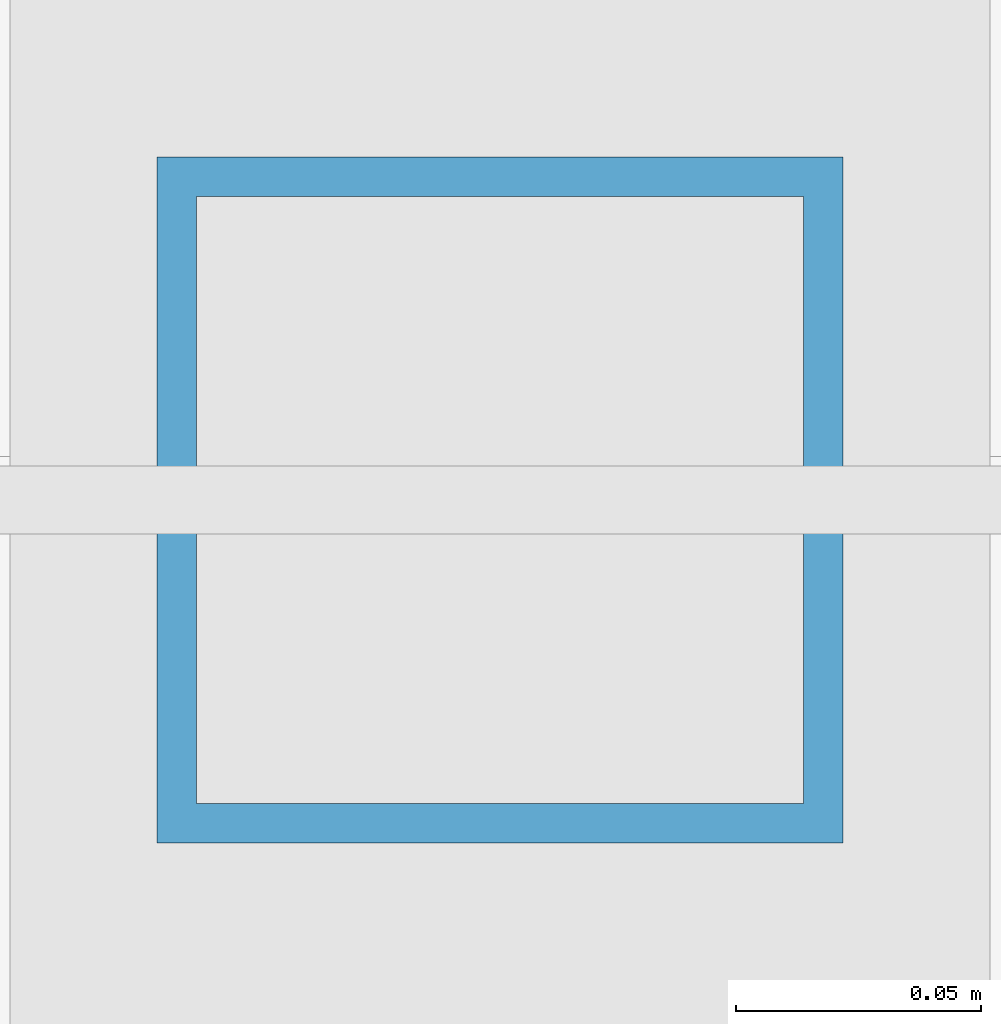
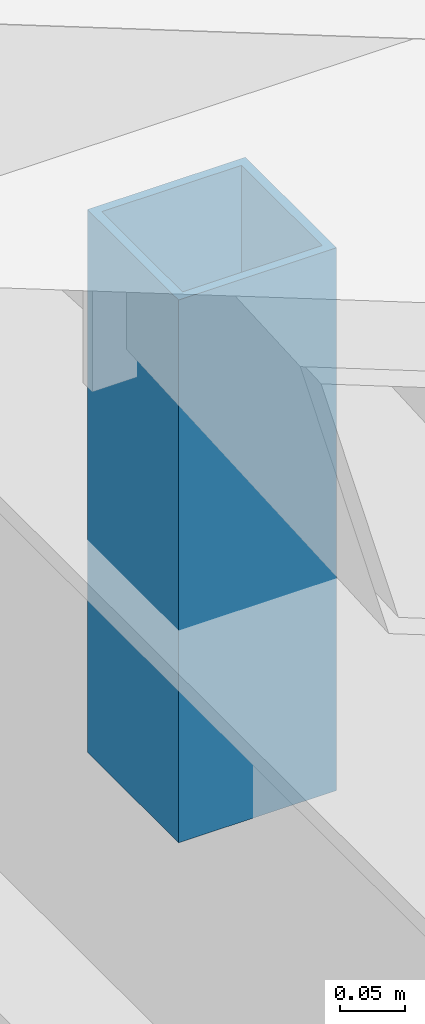
# One storey, part 3 of 13: 1 member.
"""IFC4 building model written with IfcOpenShell, lengths in metres."""

import ifcopenshell
import ifcopenshell.guid

model = None  # the IFC model being written
_history = None  # IfcOwnerHistory: only IFC2X3 demands one
_inside = {}  # id of a spatial element -> (the spatial element, [elements in it])
_under = {}  # id of a project, library or spatial element -> (it, [spatial elements below it])
_declared = {}  # id of a project -> (the project, [libraries it declares])
_typed = {}  # id of a type object -> (the type object, [elements of that type])
_made_of = {}  # id of a material, layer set ... -> (it, [elements and type objects made of it])


def new_model(schema):
    """Start an empty IFC model of exactly this schema.

    Asked for "IFC4X3", IfcOpenShell would pick the latest addendum, in which some entities
    have other attributes; the version numbers below select the first issue.
    IFC2X3 requires an IfcOwnerHistory on every rooted entity: one is made here for all.
    """
    global model, _history
    if schema == "IFC4X3":
        model = ifcopenshell.file(schema_version=(4, 3, 0, 0))
    else:
        model = ifcopenshell.file(schema=schema)
    _inside.clear()
    _under.clear()
    _declared.clear()
    _typed.clear()
    _made_of.clear()
    _history = None
    if model.schema == "IFC2X3":
        org = make("IfcOrganization", Name="unknown")
        user = make(
            "IfcPersonAndOrganization",
            ThePerson=make("IfcPerson", FamilyName="unknown"),
            TheOrganization=org,
        )
        app = make(
            "IfcApplication",
            ApplicationDeveloper=org,
            Version="unknown",
            ApplicationFullName="unknown",
            ApplicationIdentifier="unknown",
        )
        _history = make(
            "IfcOwnerHistory",
            OwningUser=user,
            OwningApplication=app,
            ChangeAction="ADDED",
            CreationDate=0,
        )
    return model


def make(cls, **values):
    """One entity of the class cls with the attributes given. An attribute that is None is left unset."""
    return model.create_entity(
        cls, **{name: value for name, value in values.items() if value is not None}
    )


def rooted(cls, **values):
    """An entity with a GlobalId (a new one), such as an element, a storey or a relation."""
    return make(cls, GlobalId=ifcopenshell.guid.new(), OwnerHistory=_history, **values)


def si_unit(unit_type, name, prefix=None):
    """IfcSIUnit, for example si_unit("LENGTHUNIT", "METRE", prefix="MILLI")."""
    return make("IfcSIUnit", UnitType=unit_type, Prefix=prefix, Name=name)


def assignment(units):
    """IfcUnitAssignment: the units of a project."""
    return None if units is None else make("IfcUnitAssignment", Units=units)


def point(xyz):
    """IfcCartesianPoint."""
    return None if xyz is None else make("IfcCartesianPoint", Coordinates=xyz)


def direction(xyz):
    """IfcDirection."""
    return None if xyz is None else make("IfcDirection", DirectionRatios=xyz)


def frame(location, z_axis=None, x_axis=None):
    """IfcAxis2Placement3D, a coordinate frame: its origin and axes. An axis left out is left unset."""
    return make(
        "IfcAxis2Placement3D",
        Location=point(location),
        Axis=direction(z_axis),
        RefDirection=direction(x_axis),
    )


def frame_2d(location, x_axis=None):
    """IfcAxis2Placement2D, a coordinate frame in the plane: its origin and x axis."""
    return make(
        "IfcAxis2Placement2D", Location=point(location), RefDirection=direction(x_axis)
    )


def origin():
    """The frame at (0, 0, 0) with its axes left unset."""
    return frame((0.0, 0.0, 0.0))


def origin_2d():
    """The frame at (0, 0) in the plane with its x axis left unset."""
    return frame_2d((0.0, 0.0))


def place(relative_to, where):
    """IfcLocalPlacement: puts the frame where relative to a parent placement (None: the world)."""
    return make(
        "IfcLocalPlacement", PlacementRelTo=relative_to, RelativePlacement=where
    )


def context(
    kind, dimensions, precision=None, world=None, true_north=None, identifier=None
):
    """IfcGeometricRepresentationContext, for example the 3D "Model" context."""
    return make(
        "IfcGeometricRepresentationContext",
        ContextIdentifier=identifier,
        ContextType=kind,
        CoordinateSpaceDimension=dimensions,
        Precision=precision,
        WorldCoordinateSystem=world,
        TrueNorth=true_north,
    )


def subcontext(parent, identifier, kind, view, scale=None):
    """IfcGeometricRepresentationSubContext, for example "Body" below "Model"."""
    return make(
        "IfcGeometricRepresentationSubContext",
        ContextIdentifier=identifier,
        ContextType=kind,
        ParentContext=parent,
        TargetScale=scale,
        TargetView=view,
    )


def project(units=None, contexts=None):
    """IfcProject with its units and contexts."""
    return rooted(
        "IfcProject",
        Name="project",
        RepresentationContexts=contexts,
        UnitsInContext=assignment(units),
    )


def spatial(cls, under=None, at=None, **own):
    """A site, building, storey or space (cls), placed at a placement, below another one or the project."""
    s = rooted(cls, ObjectPlacement=at, **own)
    if under is not None:
        _under.setdefault(under.id(), (under, []))[1].append(s)
    return s


def profile(cls, at=None, kind="AREA", **sizes):
    """A parametric profile (cls). Its sizes go by their IFC names, for example OverallWidth=200.0."""
    return make(cls, ProfileType=kind, Position=at, **sizes)


def hollow_rectangle(**sizes):
    """IfcRectangleHollowProfileDef."""
    return profile("IfcRectangleHollowProfileDef", **sizes)


def extrude(swept, where, along, depth):
    """IfcExtrudedAreaSolid: the profile swept, set in the frame where, extruded along a direction by depth."""
    return make(
        "IfcExtrudedAreaSolid",
        SweptArea=swept,
        Position=where,
        ExtrudedDirection=direction(along),
        Depth=depth,
    )


def shape(context_of_items, identifier, shape_type, items):
    """IfcShapeRepresentation: the items that make up one representation, for example the "Body"."""
    return make(
        "IfcShapeRepresentation",
        ContextOfItems=context_of_items,
        RepresentationIdentifier=identifier,
        RepresentationType=shape_type,
        Items=items,
    )


def material(Name=None, Category=None):
    """IfcMaterial."""
    return make("IfcMaterial", Name=Name, Category=Category)


def material_profile(
    of_material, cross_section, Name=None, Category=None, Priority=None
):
    """IfcMaterialProfile: a cross section and its material."""
    return make(
        "IfcMaterialProfile",
        Name=Name,
        Material=of_material,
        Profile=cross_section,
        Priority=Priority,
        Category=Category,
    )


def profile_set(profiles, Name=None, composite=None):
    """IfcMaterialProfileSet."""
    return make(
        "IfcMaterialProfileSet",
        Name=Name,
        MaterialProfiles=profiles,
        CompositeProfile=composite,
    )


def made_of(thing, what):
    """Note that an element or type object is made of a material, layer set ...; save() writes the relation."""
    if what is not None:
        _made_of.setdefault(what.id(), (what, []))[1].append(thing)
    return thing


def type_object(cls, material=None, **own):
    """A type object (cls), such as IfcWallType, which elements share."""
    return made_of(rooted(cls, **own), material)


def element(
    cls,
    number,
    at=None,
    inside=None,
    cuts=None,
    type_object=None,
    material=None,
    context=None,
    identifier="Body",
    shape_type=None,
    held_by="IfcProductDefinitionShape",
    body=None,
    shapes=None,
    **own,
):
    """One element of the class cls, such as IfcWall. Its Tag is "e" and its number.

    at: its placement. inside: the storey or other place that contains it. cuts: it is an
    opening in that element (IfcRelVoidsElement). A single representation is given by context,
    identifier, shape_type and body (its items); several are given by shapes. held_by: the class
    of the entity that holds the representations. save() writes the other relations.
    """
    e = rooted(cls, Tag="e%d" % number, ObjectPlacement=at, **own)
    if body is not None:
        shapes = [shape(context, identifier, shape_type, body)]
    if shapes is not None:
        e.Representation = make(held_by, Representations=shapes)
    if inside is not None:
        _inside.setdefault(inside.id(), (inside, []))[1].append(e)
    if cuts is not None:
        rooted(
            "IfcRelVoidsElement", RelatingBuildingElement=cuts, RelatedOpeningElement=e
        )
    if type_object is not None:
        _typed.setdefault(type_object.id(), (type_object, []))[1].append(e)
    return made_of(e, material)


def aggregate(whole, parts):
    """IfcRelAggregates: a whole, such as a stair, and the parts it consists of."""
    return rooted("IfcRelAggregates", RelatingObject=whole, RelatedObjects=parts)


def save(model, path):
    """Write the relations noted so far, then the file.

    IfcRelAggregates (storeys below a building ...), IfcRelContainedInSpatialStructure (elements
    in a storey), IfcRelDefinesByType, IfcRelAssociatesMaterial and IfcRelDeclares: one each for
    every whole, place, type object, material and project.
    """
    for whole, parts in _under.values():
        aggregate(whole, parts)
    for where, things in _inside.values():
        rooted(
            "IfcRelContainedInSpatialStructure",
            RelatedElements=things,
            RelatingStructure=where,
        )
    for kind, things in _typed.values():
        rooted("IfcRelDefinesByType", RelatedObjects=things, RelatingType=kind)
    for what, things in _made_of.values():
        rooted("IfcRelAssociatesMaterial", RelatedObjects=things, RelatingMaterial=what)
    for by, libraries in _declared.values():
        rooted("IfcRelDeclares", RelatingContext=by, RelatedDefinitions=libraries)
    model.write(path)


model = new_model("IFC4")

# Units and contexts
model_context = context("Model", 3, precision=1e-05, world=origin(), true_north=direction((0.0, 1.0)))
body_context = subcontext(model_context, "Body", "Model", "MODEL_VIEW")
ifc_project = project(units=[si_unit("LENGTHUNIT", "METRE"), si_unit("AREAUNIT", "SQUARE_METRE"), si_unit("VOLUMEUNIT", "CUBIC_METRE"), si_unit("PLANEANGLEUNIT", "RADIAN"), si_unit("MASSUNIT", "GRAM", prefix="KILO")], contexts=[model_context])

# Site, building, storey
site_placement = place(None, origin())
site = spatial("IfcSite", under=ifc_project, at=site_placement, CompositionType="ELEMENT")
building_placement = place(site_placement, origin())
building = spatial("IfcBuilding", under=site, at=building_placement, Name="Celorna Specialist Clinic", CompositionType="ELEMENT")
storey_placement = place(building_placement, frame((0.0, 0.0, 27.300048828125)))
storey = spatial("IfcBuildingStorey", under=building, at=storey_placement, Name="RF", CompositionType="ELEMENT", Elevation=27.300048828125)

# Member
ifc_material = material(Name="Steel S355", Category="steel")
ifc_material_profile = material_profile(ifc_material, hollow_rectangle(XDim=0.139892578125, YDim=0.139892578125, WallThickness=0.008056640625, at=origin_2d()), Name="SHS 140x140x8")
ifc_profile_set = profile_set([ifc_material_profile], Name="Steel S355")
member_type = type_object("IfcMemberType", Name="MB-10", PredefinedType="CHORD", material=ifc_profile_set)
member_placement = place(storey_placement, frame((70.199951171875, 106.25, -0.25), z_axis=(0.0, 0.0, 1.0), x_axis=(1.0, 0.0, 0.0)))
element("IfcMember", 1, at=member_placement, inside=storey, type_object=member_type, Name="Roof ridge/eave support post ROOF-V4-SOUTH", PredefinedType="CHORD", context=body_context, shape_type="SweptSolid", body=[
    extrude(hollow_rectangle(XDim=0.139892578125, YDim=0.139892578125, WallThickness=0.008056640625, at=origin_2d()), origin(), (0.0, 0.0, 1.0), 0.508056640625),
])

save(model, "model.ifc")
